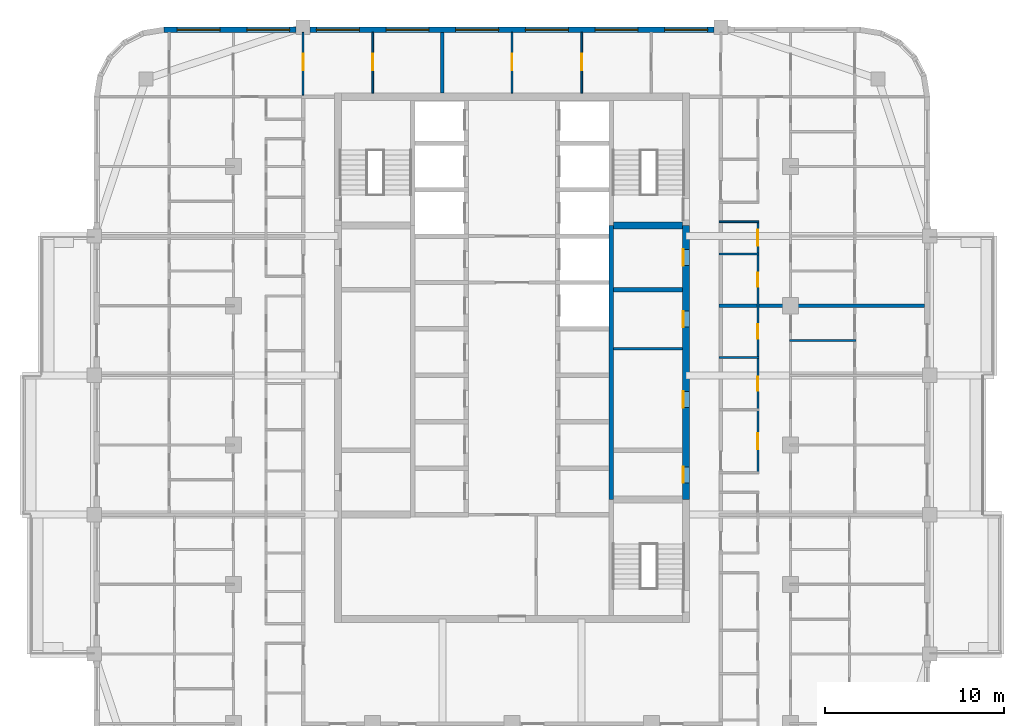
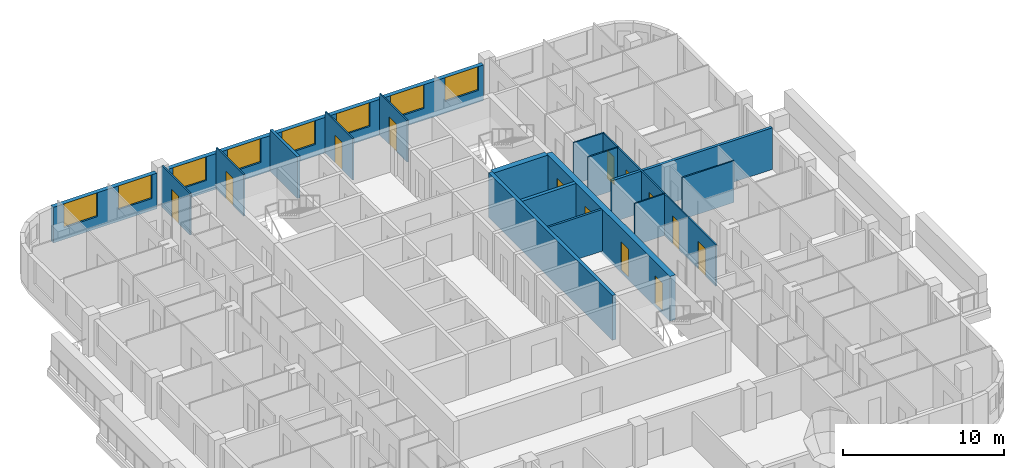
# One storey, part 10 of 17: 18 walls, 13 doors, 8 windows, 21 openings.
"""IFC4 building model written with IfcOpenShell, lengths in metres."""

from ifc_helpers import new_model, si_unit, direction, frame, frame_2d, origin, place, context, subcontext, project, spatial, rectangle, extrude, material, layer, layer_set, type_object, element, fill, save


model = new_model("IFC4")

# Units and contexts
model_context = context("Model", 3, precision=1e-05, world=origin(), true_north=direction((0.0, 1.0)))
body_context = subcontext(model_context, "Body", "Model", "MODEL_VIEW")
ifc_project = project(units=[si_unit("LENGTHUNIT", "METRE"), si_unit("AREAUNIT", "SQUARE_METRE"), si_unit("VOLUMEUNIT", "CUBIC_METRE"), si_unit("PLANEANGLEUNIT", "RADIAN"), si_unit("MASSUNIT", "GRAM", prefix="KILO")], contexts=[model_context])

# Site, building, storey
site_placement = place(None, origin())
site = spatial("IfcSite", under=ifc_project, at=site_placement, CompositionType="ELEMENT")
building_placement = place(site_placement, origin())
building = spatial("IfcBuilding", under=site, at=building_placement, Name="Ludao Terraces", CompositionType="ELEMENT")
storey_placement = place(building_placement, frame((0.0, 0.0, 210.89990234375)))
storey = spatial("IfcBuildingStorey", under=building, at=storey_placement, Name="L57", CompositionType="ELEMENT", Elevation=210.89990234375)

# Wall, openings, doors
ifc_material_1 = material(Name="Concrete C50", Category="concrete")
ifc_layer_1 = layer(ifc_material_1, 0.39990234375)
ifc_layer_set_1 = layer_set([ifc_layer_1], Name="Core wall 400 C50")
wall_type_1 = type_object("IfcWallType", Name="Core wall 400 C50", PredefinedType="SOLIDWALL", material=ifc_layer_set_1)
wall_1_placement = place(storey_placement, frame((94.75, 61.949951171875, -0.25), z_axis=(0.0, 0.0, 1.0), x_axis=(0.0, 1.0, 0.0)))
wall_1 = element("IfcWall", 1, at=wall_1_placement, inside=storey, type_object=wall_type_1, Name="Core wall L57 outer-E", PredefinedType="SOLIDWALL", context=body_context, shape_type="SweptSolid", body=[
    extrude(rectangle(XDim=15.35009765625, YDim=0.39990234375, at=frame_2d((7.675048828125, 0.0))), origin(), (0.0, 0.0, 1.0), 3.400146484375),
])
opening_1_placement = place(wall_1_placement, frame((0.925048828125, 0.0, 0.25)))
opening_1 = element("IfcOpeningElement", 2, at=opening_1_placement, cuts=wall_1, Name="Opening R20-058", PredefinedType="OPENING", context=body_context, shape_type="SweptSolid", body=[
    extrude(rectangle(XDim=0.89990234375, YDim=2.10009765625, at=frame_2d((0.449951171875, 1.050048828125))), frame((0.0, 0.2099609375, 0.0), z_axis=(0.0, -1.0, 0.0), x_axis=(1.0, 0.0, 0.0)), (0.0, 0.0, 1.0), 0.419921875),
])
opening_2_placement = place(wall_1_placement, frame((5.14990234375, 0.0, 0.25)))
opening_2 = element("IfcOpeningElement", 3, at=opening_2_placement, cuts=wall_1, Name="Opening R20-071", PredefinedType="OPENING", context=body_context, shape_type="SweptSolid", body=[
    extrude(rectangle(XDim=0.89990234375, YDim=2.10009765625, at=frame_2d((0.449951171875, 1.050048828125))), frame((0.0, 0.2099609375, 0.0), z_axis=(0.0, -1.0, 0.0), x_axis=(1.0, 0.0, 0.0)), (0.0, 0.0, 1.0), 0.419921875),
])
opening_3_placement = place(wall_1_placement, frame((9.64990234375, 0.0, 0.25)))
opening_3 = element("IfcOpeningElement", 4, at=opening_3_placement, cuts=wall_1, Name="Opening R20-086", PredefinedType="OPENING", context=body_context, shape_type="SweptSolid", body=[
    extrude(rectangle(XDim=0.89990234375, YDim=2.10009765625, at=frame_2d((0.449951171875, 1.050048828125))), frame((0.0, 0.2099609375, 0.0), z_axis=(0.0, -1.0, 0.0), x_axis=(1.0, 0.0, 0.0)), (0.0, 0.0, 1.0), 0.419921875),
])
opening_4_placement = place(wall_1_placement, frame((13.10009765625, 0.0, 0.25)))
opening_4 = element("IfcOpeningElement", 5, at=opening_4_placement, cuts=wall_1, Name="Opening R20-097", PredefinedType="OPENING", context=body_context, shape_type="SweptSolid", body=[
    extrude(rectangle(XDim=0.89990234375, YDim=2.10009765625, at=frame_2d((0.449951171875, 1.050048828125))), frame((0.0, 0.2099609375, 0.0), z_axis=(0.0, -1.0, 0.0), x_axis=(1.0, 0.0, 0.0)), (0.0, 0.0, 1.0), 0.419921875),
])
ifc_material_2 = material(Name="Steel Q235", Category="steel")
door_type_1 = type_object("IfcDoorType", Name="INT Riser door 900", OperationType="SINGLE_SWING_LEFT", PredefinedType="DOOR", material=ifc_material_2)
door_1_placement = place(opening_1_placement, origin())
door_1 = element("IfcDoor", 6, at=door_1_placement, inside=storey, type_object=door_type_1, Name="DOOR 058", OperationType="SINGLE_SWING_LEFT", OverallHeight=2.10009765625, OverallWidth=0.89990234375, PredefinedType="DOOR", context=body_context, shape_type="SweptSolid", body=[
    extrude(rectangle(XDim=0.89990234375, YDim=2.10009765625, at=frame_2d((0.449951171875, 1.050048828125))), frame((0.0, 0.18505859375, 0.0), z_axis=(0.0, -1.0, 0.0), x_axis=(1.0, 0.0, 0.0)), (0.0, 0.0, 1.0), 0.050048828125),
])
fill(opening_1, door_1)
door_2_placement = place(opening_4_placement, origin())
door_2 = element("IfcDoor", 7, at=door_2_placement, inside=storey, type_object=door_type_1, Name="DOOR 097", OperationType="SINGLE_SWING_RIGHT", OverallHeight=2.10009765625, OverallWidth=0.89990234375, PredefinedType="DOOR", context=body_context, shape_type="SweptSolid", body=[
    extrude(rectangle(XDim=0.89990234375, YDim=2.10009765625, at=frame_2d((0.449951171875, 1.050048828125))), frame((0.0, 0.18505859375, 0.0), z_axis=(0.0, -1.0, 0.0), x_axis=(1.0, 0.0, 0.0)), (0.0, 0.0, 1.0), 0.050048828125),
])
fill(opening_4, door_2)
ifc_material_3 = material(Name="Timber door leaf", Category="wood")
door_type_2 = type_object("IfcDoorType", Name="INT Room door 900", OperationType="SINGLE_SWING_LEFT", PredefinedType="DOOR", material=ifc_material_3)
door_3_placement = place(opening_2_placement, origin())
door_3 = element("IfcDoor", 8, at=door_3_placement, inside=storey, type_object=door_type_2, Name="DOOR 071", OperationType="SINGLE_SWING_LEFT", OverallHeight=2.10009765625, OverallWidth=0.89990234375, PredefinedType="DOOR", context=body_context, shape_type="SweptSolid", body=[
    extrude(rectangle(XDim=0.89990234375, YDim=2.10009765625, at=frame_2d((0.449951171875, 1.050048828125))), frame((0.0, 0.18505859375, 0.0), z_axis=(0.0, -1.0, 0.0), x_axis=(1.0, 0.0, 0.0)), (0.0, 0.0, 1.0), 0.050048828125),
])
fill(opening_2, door_3)
door_4_placement = place(opening_3_placement, origin())
door_4 = element("IfcDoor", 9, at=door_4_placement, inside=storey, type_object=door_type_2, Name="DOOR 086", OperationType="SINGLE_SWING_LEFT", OverallHeight=2.10009765625, OverallWidth=0.89990234375, PredefinedType="DOOR", context=body_context, shape_type="SweptSolid", body=[
    extrude(rectangle(XDim=0.89990234375, YDim=2.10009765625, at=frame_2d((0.449951171875, 1.050048828125))), frame((0.0, 0.18505859375, 0.0), z_axis=(0.0, -1.0, 0.0), x_axis=(1.0, 0.0, 0.0)), (0.0, 0.0, 1.0), 0.050048828125),
])
fill(opening_3, door_4)

# Wall, openings, windows
ifc_material_4 = material(Name="Granite cladding", Category="masonry")
ifc_layer_2 = layer(ifc_material_4, 0.0400390625, Category="stone")
ifc_material_5 = material(Name="Mineral wool")
ifc_layer_3 = layer(ifc_material_5, 0.06005859375)
ifc_material_6 = material(Name="Concrete C40", Category="concrete")
ifc_layer_4 = layer(ifc_material_6, 0.199951171875, Category="concrete")
ifc_layer_set_2 = layer_set([ifc_layer_2, ifc_layer_3, ifc_layer_4], Name="ENV Stone-clad wall 300")
wall_type_2 = type_object("IfcWallType", Name="ENV Stone-clad wall 300", PredefinedType="SOLIDWALL", material=ifc_layer_set_2)
wall_2_placement = place(storey_placement, frame((65.5, 88.25, 0.0), z_axis=(0.0, 0.0, 1.0), x_axis=(1.0, 0.0, 0.0)))
wall_2 = element("IfcWall", 10, at=wall_2_placement, inside=storey, type_object=wall_type_2, Name="EW-L57-N1", PredefinedType="SOLIDWALL", context=body_context, shape_type="SweptSolid", body=[
    extrude(rectangle(XDim=7.39990234375, YDim=0.300048828125, at=frame_2d((3.699951171875, 0.0))), origin(), (0.0, 0.0, 1.0), 2.7001953125),
])
opening_5_placement = place(wall_2_placement, frame((0.75, 0.0, 0.89990234375)))
opening_5 = element("IfcOpeningElement", 11, at=opening_5_placement, cuts=wall_2, Name="Opening W1", PredefinedType="OPENING", context=body_context, shape_type="SweptSolid", body=[
    extrude(rectangle(XDim=2.39990234375, YDim=1.800048828125, at=frame_2d((1.199951171875, 0.89990234375))), frame((0.0, 0.16015625, 0.0), z_axis=(0.0, -1.0, 0.0), x_axis=(1.0, 0.0, 0.0)), (0.0, 0.0, 1.0), 0.320068359375),
])
opening_6_placement = place(wall_2_placement, frame((4.64990234375, 0.0, 0.89990234375)))
opening_6 = element("IfcOpeningElement", 12, at=opening_6_placement, cuts=wall_2, Name="Opening W1", PredefinedType="OPENING", context=body_context, shape_type="SweptSolid", body=[
    extrude(rectangle(XDim=2.39990234375, YDim=1.800048828125, at=frame_2d((1.199951171875, 0.89990234375))), frame((0.0, 0.16015625, 0.0), z_axis=(0.0, -1.0, 0.0), x_axis=(1.0, 0.0, 0.0)), (0.0, 0.0, 1.0), 0.320068359375),
])
ifc_material_7 = material(Name="Clear glass in aluminium frame", Category="aluminium")
ifc_layer_5 = layer(ifc_material_7, 0.06005859375)
ifc_layer_set_3 = layer_set([ifc_layer_5], Name="ENV Window W1 2400x1800")
window_type = type_object("IfcWindowType", Name="ENV Window W1 2400x1800", PartitioningType="DOUBLE_PANEL_VERTICAL", PredefinedType="WINDOW", material=ifc_layer_set_3)
window_1_placement = place(opening_5_placement, origin())
window_1 = element("IfcWindow", 13, at=window_1_placement, inside=storey, type_object=window_type, Name="W-L57-N1-1", OverallHeight=1.800048828125, OverallWidth=2.39990234375, PartitioningType="DOUBLE_PANEL_VERTICAL", PredefinedType="WINDOW", context=body_context, shape_type="SweptSolid", body=[
    extrude(rectangle(XDim=2.39990234375, YDim=1.800048828125, at=frame_2d((1.199951171875, 0.89990234375))), frame((0.0, 0.030029296875, 0.0), z_axis=(0.0, -1.0, 0.0), x_axis=(1.0, 0.0, 0.0)), (0.0, 0.0, 1.0), 0.06005859375),
])
fill(opening_5, window_1)
window_2_placement = place(opening_6_placement, origin())
window_2 = element("IfcWindow", 14, at=window_2_placement, inside=storey, type_object=window_type, Name="W-L57-N1-2", OverallHeight=1.800048828125, OverallWidth=2.39990234375, PartitioningType="DOUBLE_PANEL_VERTICAL", PredefinedType="WINDOW", context=body_context, shape_type="SweptSolid", body=[
    extrude(rectangle(XDim=2.39990234375, YDim=1.800048828125, at=frame_2d((1.199951171875, 0.89990234375))), frame((0.0, 0.030029296875, 0.0), z_axis=(0.0, -1.0, 0.0), x_axis=(1.0, 0.0, 0.0)), (0.0, 0.0, 1.0), 0.06005859375),
])
fill(opening_6, window_2)

wall_3_placement = place(storey_placement, frame((73.699951171875, 88.25, 0.0), z_axis=(0.0, 0.0, 1.0), x_axis=(1.0, 0.0, 0.0)))
wall_3 = element("IfcWall", 15, at=wall_3_placement, inside=storey, type_object=wall_type_2, Name="EW-L57-N2", PredefinedType="SOLIDWALL", context=body_context, shape_type="SweptSolid", body=[
    extrude(rectangle(XDim=22.60009765625, YDim=0.300048828125, at=frame_2d((11.300048828125, 0.0))), origin(), (0.0, 0.0, 1.0), 2.7001953125),
])
opening_7_placement = place(wall_3_placement, frame((0.35009765625, 0.0, 0.89990234375)))
opening_7 = element("IfcOpeningElement", 16, at=opening_7_placement, cuts=wall_3, Name="Opening W1", PredefinedType="OPENING", context=body_context, shape_type="SweptSolid", body=[
    extrude(rectangle(XDim=2.39990234375, YDim=1.800048828125, at=frame_2d((1.199951171875, 0.89990234375))), frame((0.0, 0.16015625, 0.0), z_axis=(0.0, -1.0, 0.0), x_axis=(1.0, 0.0, 0.0)), (0.0, 0.0, 1.0), 0.320068359375),
])
opening_8_placement = place(wall_3_placement, frame((4.25, 0.0, 0.89990234375)))
opening_8 = element("IfcOpeningElement", 17, at=opening_8_placement, cuts=wall_3, Name="Opening W1", PredefinedType="OPENING", context=body_context, shape_type="SweptSolid", body=[
    extrude(rectangle(XDim=2.39990234375, YDim=1.800048828125, at=frame_2d((1.199951171875, 0.89990234375))), frame((0.0, 0.16015625, 0.0), z_axis=(0.0, -1.0, 0.0), x_axis=(1.0, 0.0, 0.0)), (0.0, 0.0, 1.0), 0.320068359375),
])
opening_9_placement = place(wall_3_placement, frame((8.14990234375, 0.0, 0.89990234375)))
opening_9 = element("IfcOpeningElement", 18, at=opening_9_placement, cuts=wall_3, Name="Opening W1", PredefinedType="OPENING", context=body_context, shape_type="SweptSolid", body=[
    extrude(rectangle(XDim=2.39990234375, YDim=1.800048828125, at=frame_2d((1.199951171875, 0.89990234375))), frame((0.0, 0.16015625, 0.0), z_axis=(0.0, -1.0, 0.0), x_axis=(1.0, 0.0, 0.0)), (0.0, 0.0, 1.0), 0.320068359375),
])
opening_10_placement = place(wall_3_placement, frame((12.050048828125, 0.0, 0.89990234375)))
opening_10 = element("IfcOpeningElement", 19, at=opening_10_placement, cuts=wall_3, Name="Opening W1", PredefinedType="OPENING", context=body_context, shape_type="SweptSolid", body=[
    extrude(rectangle(XDim=2.39990234375, YDim=1.800048828125, at=frame_2d((1.199951171875, 0.89990234375))), frame((0.0, 0.16015625, 0.0), z_axis=(0.0, -1.0, 0.0), x_axis=(1.0, 0.0, 0.0)), (0.0, 0.0, 1.0), 0.320068359375),
])
opening_11_placement = place(wall_3_placement, frame((15.949951171875, 0.0, 0.89990234375)))
opening_11 = element("IfcOpeningElement", 20, at=opening_11_placement, cuts=wall_3, Name="Opening W1", PredefinedType="OPENING", context=body_context, shape_type="SweptSolid", body=[
    extrude(rectangle(XDim=2.39990234375, YDim=1.800048828125, at=frame_2d((1.199951171875, 0.89990234375))), frame((0.0, 0.16015625, 0.0), z_axis=(0.0, -1.0, 0.0), x_axis=(1.0, 0.0, 0.0)), (0.0, 0.0, 1.0), 0.320068359375),
])
opening_12_placement = place(wall_3_placement, frame((19.85009765625, 0.0, 0.89990234375)))
opening_12 = element("IfcOpeningElement", 21, at=opening_12_placement, cuts=wall_3, Name="Opening W1", PredefinedType="OPENING", context=body_context, shape_type="SweptSolid", body=[
    extrude(rectangle(XDim=2.39990234375, YDim=1.800048828125, at=frame_2d((1.199951171875, 0.89990234375))), frame((0.0, 0.16015625, 0.0), z_axis=(0.0, -1.0, 0.0), x_axis=(1.0, 0.0, 0.0)), (0.0, 0.0, 1.0), 0.320068359375),
])
window_3_placement = place(opening_7_placement, origin())
window_3 = element("IfcWindow", 22, at=window_3_placement, inside=storey, type_object=window_type, Name="W-L57-N2-1", OverallHeight=1.800048828125, OverallWidth=2.39990234375, PartitioningType="DOUBLE_PANEL_VERTICAL", PredefinedType="WINDOW", context=body_context, shape_type="SweptSolid", body=[
    extrude(rectangle(XDim=2.39990234375, YDim=1.800048828125, at=frame_2d((1.199951171875, 0.89990234375))), frame((0.0, 0.030029296875, 0.0), z_axis=(0.0, -1.0, 0.0), x_axis=(1.0, 0.0, 0.0)), (0.0, 0.0, 1.0), 0.06005859375),
])
fill(opening_7, window_3)
window_4_placement = place(opening_8_placement, origin())
window_4 = element("IfcWindow", 23, at=window_4_placement, inside=storey, type_object=window_type, Name="W-L57-N2-2", OverallHeight=1.800048828125, OverallWidth=2.39990234375, PartitioningType="DOUBLE_PANEL_VERTICAL", PredefinedType="WINDOW", context=body_context, shape_type="SweptSolid", body=[
    extrude(rectangle(XDim=2.39990234375, YDim=1.800048828125, at=frame_2d((1.199951171875, 0.89990234375))), frame((0.0, 0.030029296875, 0.0), z_axis=(0.0, -1.0, 0.0), x_axis=(1.0, 0.0, 0.0)), (0.0, 0.0, 1.0), 0.06005859375),
])
fill(opening_8, window_4)
window_5_placement = place(opening_9_placement, origin())
window_5 = element("IfcWindow", 24, at=window_5_placement, inside=storey, type_object=window_type, Name="W-L57-N2-3", OverallHeight=1.800048828125, OverallWidth=2.39990234375, PartitioningType="DOUBLE_PANEL_VERTICAL", PredefinedType="WINDOW", context=body_context, shape_type="SweptSolid", body=[
    extrude(rectangle(XDim=2.39990234375, YDim=1.800048828125, at=frame_2d((1.199951171875, 0.89990234375))), frame((0.0, 0.030029296875, 0.0), z_axis=(0.0, -1.0, 0.0), x_axis=(1.0, 0.0, 0.0)), (0.0, 0.0, 1.0), 0.06005859375),
])
fill(opening_9, window_5)
window_6_placement = place(opening_10_placement, origin())
window_6 = element("IfcWindow", 25, at=window_6_placement, inside=storey, type_object=window_type, Name="W-L57-N2-4", OverallHeight=1.800048828125, OverallWidth=2.39990234375, PartitioningType="DOUBLE_PANEL_VERTICAL", PredefinedType="WINDOW", context=body_context, shape_type="SweptSolid", body=[
    extrude(rectangle(XDim=2.39990234375, YDim=1.800048828125, at=frame_2d((1.199951171875, 0.89990234375))), frame((0.0, 0.030029296875, 0.0), z_axis=(0.0, -1.0, 0.0), x_axis=(1.0, 0.0, 0.0)), (0.0, 0.0, 1.0), 0.06005859375),
])
fill(opening_10, window_6)
window_7_placement = place(opening_11_placement, origin())
window_7 = element("IfcWindow", 26, at=window_7_placement, inside=storey, type_object=window_type, Name="W-L57-N2-5", OverallHeight=1.800048828125, OverallWidth=2.39990234375, PartitioningType="DOUBLE_PANEL_VERTICAL", PredefinedType="WINDOW", context=body_context, shape_type="SweptSolid", body=[
    extrude(rectangle(XDim=2.39990234375, YDim=1.800048828125, at=frame_2d((1.199951171875, 0.89990234375))), frame((0.0, 0.030029296875, 0.0), z_axis=(0.0, -1.0, 0.0), x_axis=(1.0, 0.0, 0.0)), (0.0, 0.0, 1.0), 0.06005859375),
])
fill(opening_11, window_7)
window_8_placement = place(opening_12_placement, origin())
window_8 = element("IfcWindow", 27, at=window_8_placement, inside=storey, type_object=window_type, Name="W-L57-N2-6", OverallHeight=1.800048828125, OverallWidth=2.39990234375, PartitioningType="DOUBLE_PANEL_VERTICAL", PredefinedType="WINDOW", context=body_context, shape_type="SweptSolid", body=[
    extrude(rectangle(XDim=2.39990234375, YDim=1.800048828125, at=frame_2d((1.199951171875, 0.89990234375))), frame((0.0, 0.030029296875, 0.0), z_axis=(0.0, -1.0, 0.0), x_axis=(1.0, 0.0, 0.0)), (0.0, 0.0, 1.0), 0.06005859375),
])
fill(opening_12, window_8)

# Walls
ifc_material_8 = material(Name="Fire-rated gypsum plasterboard", Category="gypsum")
ifc_layer_6 = layer(ifc_material_8, 0.012451171875, Category="gypsum")
ifc_layer_7 = layer(ifc_material_5, 0.10009765625, Name="insulation")
ifc_layer_8 = layer(ifc_material_2, 0.02490234375, Name="stud")
ifc_layer_9 = layer(ifc_material_8, 0.012451171875, Category="gypsum")
ifc_layer_set_4 = layer_set([ifc_layer_6, ifc_layer_7, ifc_layer_8, ifc_layer_9], Name="INT Core partition 150")
wall_type_3 = type_object("IfcWallType", Name="INT Core partition 150", PredefinedType="PARTITIONING", material=ifc_layer_set_4)
wall_4_placement = place(storey_placement, frame((90.675048828125, 70.39990234375, 0.0), z_axis=(0.0, 0.0, 1.0), x_axis=(1.0, 0.0, 0.0)))
element("IfcWall", 28, at=wall_4_placement, inside=storey, type_object=wall_type_3, Name="PW-L57-PW042", PredefinedType="PARTITIONING", context=body_context, shape_type="SweptSolid", body=[
    extrude(rectangle(XDim=3.875, YDim=0.14990234375, at=frame_2d((1.9375, 0.0))), origin(), (0.0, 0.0, 1.0), 3.150146484375),
])
ifc_material_9 = material(Name="Gypsum plasterboard", Category="gypsum")
ifc_layer_10 = layer(ifc_material_9, 0.012451171875, Category="gypsum")
ifc_layer_11 = layer(ifc_material_5, 0.06005859375, Name="insulation")
ifc_layer_12 = layer(ifc_material_2, 0.014892578125, Name="stud")
ifc_layer_13 = layer(ifc_material_9, 0.012451171875, Category="gypsum")
ifc_layer_set_5 = layer_set([ifc_layer_10, ifc_layer_11, ifc_layer_12, ifc_layer_13], Name="INT Partition 100")
wall_type_4 = type_object("IfcWallType", Name="INT Partition 100", PredefinedType="PARTITIONING", material=ifc_layer_set_5)
wall_5_placement = place(storey_placement, frame((96.60009765625, 69.89990234375, 0.0), z_axis=(0.0, 0.0, 1.0), x_axis=(1.0, 0.0, 0.0)))
element("IfcWall", 29, at=wall_5_placement, inside=storey, type_object=wall_type_4, Name="PW-L57-PW040", PredefinedType="PARTITIONING", context=body_context, shape_type="SweptSolid", body=[
    extrude(rectangle(XDim=2.219970703125, YDim=0.10009765625, at=frame_2d((1.10986328125, 0.0))), origin(), (0.0, 0.0, 1.0), 3.150146484375),
])
wall_6_placement = place(storey_placement, frame((100.550048828125, 70.85009765625, 0.0), z_axis=(0.0, 0.0, 1.0), x_axis=(1.0, 0.0, 0.0)))
element("IfcWall", 30, at=wall_6_placement, inside=storey, type_object=wall_type_4, Name="PW-L57-PW043", PredefinedType="PARTITIONING", context=body_context, shape_type="SweptSolid", body=[
    extrude(rectangle(XDim=3.699951171875, YDim=0.10009765625, at=frame_2d((1.85009765625, 0.0))), origin(), (0.0, 0.0, 1.0), 3.150146484375),
])
for number, where, z_axis, x_axis, name in (
    (31, (96.60009765625, 75.699951171875, 0.0), (0.0, 0.0, 1.0), (1.0, 0.0, 0.0), "PW-L57-PW051"),
    (32, (96.60009765625, 77.5, 0.0), (0.0, 0.0, 1.0), (1.0, 0.0, 0.0), "PW-L57-PW055"),
):
    element("IfcWall", number, at=place(storey_placement, frame(where, z_axis=z_axis, x_axis=x_axis)), inside=storey, type_object=wall_type_4, Name=name, PredefinedType="PARTITIONING", context=body_context, shape_type="SweptSolid", body=[
        extrude(rectangle(XDim=2.219970703125, YDim=0.10009765625, at=frame_2d((1.10986328125, 0.0))), origin(), (0.0, 0.0, 1.0), 3.150146484375),
    ])

# Wall, opening, door
wall_7_placement = place(storey_placement, frame((73.300048828125, 84.60009765625, 0.0), z_axis=(0.0, 0.0, 1.0), x_axis=(0.0, 1.0, 0.0)))
wall_7 = element("IfcWall", 33, at=wall_7_placement, inside=storey, type_object=wall_type_4, Name="PW-L57-PW079", PredefinedType="PARTITIONING", context=body_context, shape_type="SweptSolid", body=[
    extrude(rectangle(XDim=3.5, YDim=0.10009765625, at=frame_2d((1.75, 0.0))), origin(), (0.0, 0.0, 1.0), 3.150146484375),
])
opening_13_placement = place(wall_7_placement, frame((1.39990234375, 0.0, 0.0)))
opening_13 = element("IfcOpeningElement", 34, at=opening_13_placement, cuts=wall_7, Name="Opening R20-135", PredefinedType="OPENING", context=body_context, shape_type="SweptSolid", body=[
    extrude(rectangle(XDim=0.89990234375, YDim=2.10009765625, at=frame_2d((0.449951171875, 1.050048828125))), frame((0.0, 0.06005859375, 0.0), z_axis=(0.0, -1.0, 0.0), x_axis=(1.0, 0.0, 0.0)), (0.0, 0.0, 1.0), 0.1201171875),
])
door_5_placement = place(opening_13_placement, origin())
door_5 = element("IfcDoor", 35, at=door_5_placement, inside=storey, type_object=door_type_2, Name="DOOR 135", OperationType="SINGLE_SWING_LEFT", OverallHeight=2.10009765625, OverallWidth=0.89990234375, PredefinedType="DOOR", context=body_context, shape_type="SweptSolid", body=[
    extrude(rectangle(XDim=0.89990234375, YDim=2.10009765625, at=frame_2d((0.449951171875, 1.050048828125))), frame((0.0, 0.02490234375, 0.0), z_axis=(0.0, -1.0, 0.0), x_axis=(1.0, 0.0, 0.0)), (0.0, 0.0, 1.0), 0.050048828125),
])
fill(opening_13, door_5)

wall_8_placement = place(storey_placement, frame((77.199951171875, 84.7001953125, 0.0), z_axis=(0.0, 0.0, 1.0), x_axis=(0.0, 1.0, 0.0)))
wall_8 = element("IfcWall", 36, at=wall_8_placement, inside=storey, type_object=wall_type_4, Name="PW-L57-PW081", PredefinedType="PARTITIONING", context=body_context, shape_type="SweptSolid", body=[
    extrude(rectangle(XDim=3.39990234375, YDim=0.10009765625, at=frame_2d((1.699951171875, 0.0))), origin(), (0.0, 0.0, 1.0), 3.150146484375),
])
opening_14_placement = place(wall_8_placement, frame((1.2998046875, 0.0, 0.0)))
opening_14 = element("IfcOpeningElement", 37, at=opening_14_placement, cuts=wall_8, Name="Opening R20-136", PredefinedType="OPENING", context=body_context, shape_type="SweptSolid", body=[
    extrude(rectangle(XDim=0.89990234375, YDim=2.10009765625, at=frame_2d((0.449951171875, 1.050048828125))), frame((0.0, 0.06005859375, 0.0), z_axis=(0.0, -1.0, 0.0), x_axis=(1.0, 0.0, 0.0)), (0.0, 0.0, 1.0), 0.1201171875),
])
door_6_placement = place(opening_14_placement, origin())
door_6 = element("IfcDoor", 38, at=door_6_placement, inside=storey, type_object=door_type_2, Name="DOOR 136", OperationType="SINGLE_SWING_LEFT", OverallHeight=2.10009765625, OverallWidth=0.89990234375, PredefinedType="DOOR", context=body_context, shape_type="SweptSolid", body=[
    extrude(rectangle(XDim=0.89990234375, YDim=2.10009765625, at=frame_2d((0.449951171875, 1.050048828125))), frame((0.0, 0.02490234375, 0.0), z_axis=(0.0, -1.0, 0.0), x_axis=(1.0, 0.0, 0.0)), (0.0, 0.0, 1.0), 0.050048828125),
])
fill(opening_14, door_6)

wall_9_placement = place(storey_placement, frame((85.0, 84.7001953125, 0.0), z_axis=(0.0, 0.0, 1.0), x_axis=(0.0, 1.0, 0.0)))
wall_9 = element("IfcWall", 39, at=wall_9_placement, inside=storey, type_object=wall_type_4, Name="PW-L57-PW084", PredefinedType="PARTITIONING", context=body_context, shape_type="SweptSolid", body=[
    extrude(rectangle(XDim=3.39990234375, YDim=0.10009765625, at=frame_2d((1.699951171875, 0.0))), origin(), (0.0, 0.0, 1.0), 3.150146484375),
])
opening_15_placement = place(wall_9_placement, frame((1.2998046875, 0.0, 0.0)))
opening_15 = element("IfcOpeningElement", 40, at=opening_15_placement, cuts=wall_9, Name="Opening R20-137", PredefinedType="OPENING", context=body_context, shape_type="SweptSolid", body=[
    extrude(rectangle(XDim=0.89990234375, YDim=2.10009765625, at=frame_2d((0.449951171875, 1.050048828125))), frame((0.0, 0.06005859375, 0.0), z_axis=(0.0, -1.0, 0.0), x_axis=(1.0, 0.0, 0.0)), (0.0, 0.0, 1.0), 0.1201171875),
])
door_7_placement = place(opening_15_placement, origin())
door_7 = element("IfcDoor", 41, at=door_7_placement, inside=storey, type_object=door_type_2, Name="DOOR 137", OperationType="SINGLE_SWING_RIGHT", OverallHeight=2.10009765625, OverallWidth=0.89990234375, PredefinedType="DOOR", context=body_context, shape_type="SweptSolid", body=[
    extrude(rectangle(XDim=0.89990234375, YDim=2.10009765625, at=frame_2d((0.449951171875, 1.050048828125))), frame((0.0, 0.02490234375, 0.0), z_axis=(0.0, -1.0, 0.0), x_axis=(1.0, 0.0, 0.0)), (0.0, 0.0, 1.0), 0.050048828125),
])
fill(opening_15, door_7)

wall_10_placement = place(storey_placement, frame((88.89990234375, 84.7001953125, 0.0), z_axis=(0.0, 0.0, 1.0), x_axis=(0.0, 1.0, 0.0)))
wall_10 = element("IfcWall", 42, at=wall_10_placement, inside=storey, type_object=wall_type_4, Name="PW-L57-PW087", PredefinedType="PARTITIONING", context=body_context, shape_type="SweptSolid", body=[
    extrude(rectangle(XDim=3.39990234375, YDim=0.10009765625, at=frame_2d((1.699951171875, 0.0))), origin(), (0.0, 0.0, 1.0), 3.150146484375),
])
opening_16_placement = place(wall_10_placement, frame((1.2998046875, 0.0, 0.0)))
opening_16 = element("IfcOpeningElement", 43, at=opening_16_placement, cuts=wall_10, Name="Opening R20-138", PredefinedType="OPENING", context=body_context, shape_type="SweptSolid", body=[
    extrude(rectangle(XDim=0.89990234375, YDim=2.10009765625, at=frame_2d((0.449951171875, 1.050048828125))), frame((0.0, 0.06005859375, 0.0), z_axis=(0.0, -1.0, 0.0), x_axis=(1.0, 0.0, 0.0)), (0.0, 0.0, 1.0), 0.1201171875),
])
door_8_placement = place(opening_16_placement, origin())
door_8 = element("IfcDoor", 44, at=door_8_placement, inside=storey, type_object=door_type_2, Name="DOOR 138", OperationType="SINGLE_SWING_LEFT", OverallHeight=2.10009765625, OverallWidth=0.89990234375, PredefinedType="DOOR", context=body_context, shape_type="SweptSolid", body=[
    extrude(rectangle(XDim=0.89990234375, YDim=2.10009765625, at=frame_2d((0.449951171875, 1.050048828125))), frame((0.0, 0.02490234375, 0.0), z_axis=(0.0, -1.0, 0.0), x_axis=(1.0, 0.0, 0.0)), (0.0, 0.0, 1.0), 0.050048828125),
])
fill(opening_16, door_8)

# Wall, openings, doors
wall_11_placement = place(storey_placement, frame((98.77001953125, 63.5, 0.0), z_axis=(0.0, 0.0, 1.0), x_axis=(0.0, 1.0, 0.0)))
wall_11 = element("IfcWall", 45, at=wall_11_placement, inside=storey, type_object=wall_type_4, Name="PW-L57-PW094", PredefinedType="PARTITIONING", context=body_context, shape_type="SweptSolid", body=[
    extrude(rectangle(XDim=13.9501953125, YDim=0.10009765625, at=frame_2d((6.97509765625, 0.0))), origin(), (0.0, 0.0, 1.0), 3.150146484375),
])
opening_17_placement = place(wall_11_placement, frame((1.260009765625, 0.0, 0.0)))
opening_17 = element("IfcOpeningElement", 46, at=opening_17_placement, cuts=wall_11, Name="Opening R20-065", PredefinedType="OPENING", context=body_context, shape_type="SweptSolid", body=[
    extrude(rectangle(XDim=0.89990234375, YDim=2.10009765625, at=frame_2d((0.449951171875, 1.050048828125))), frame((0.0, 0.06005859375, 0.0), z_axis=(0.0, -1.0, 0.0), x_axis=(1.0, 0.0, 0.0)), (0.0, 0.0, 1.0), 0.1201171875),
])
opening_18_placement = place(wall_11_placement, frame((4.53515625, 0.0, 0.0)))
opening_18 = element("IfcOpeningElement", 47, at=opening_18_placement, cuts=wall_11, Name="Opening R20-074", PredefinedType="OPENING", context=body_context, shape_type="SweptSolid", body=[
    extrude(rectangle(XDim=0.800048828125, YDim=2.10009765625, at=frame_2d((0.39990234375, 1.050048828125))), frame((0.0, 0.06005859375, 0.0), z_axis=(0.0, -1.0, 0.0), x_axis=(1.0, 0.0, 0.0)), (0.0, 0.0, 1.0), 0.1201171875),
])
opening_19_placement = place(wall_11_placement, frame((7.4501953125, 0.0, 0.0)))
opening_19 = element("IfcOpeningElement", 48, at=opening_19_placement, cuts=wall_11, Name="Opening R20-082", PredefinedType="OPENING", context=body_context, shape_type="SweptSolid", body=[
    extrude(rectangle(XDim=0.800048828125, YDim=2.10009765625, at=frame_2d((0.39990234375, 1.050048828125))), frame((0.0, 0.06005859375, 0.0), z_axis=(0.0, -1.0, 0.0), x_axis=(1.0, 0.0, 0.0)), (0.0, 0.0, 1.0), 0.1201171875),
])
opening_20_placement = place(wall_11_placement, frame((10.35009765625, 0.0, 0.0)))
opening_20 = element("IfcOpeningElement", 49, at=opening_20_placement, cuts=wall_11, Name="Opening R20-092", PredefinedType="OPENING", context=body_context, shape_type="SweptSolid", body=[
    extrude(rectangle(XDim=0.800048828125, YDim=2.10009765625, at=frame_2d((0.39990234375, 1.050048828125))), frame((0.0, 0.06005859375, 0.0), z_axis=(0.0, -1.0, 0.0), x_axis=(1.0, 0.0, 0.0)), (0.0, 0.0, 1.0), 0.1201171875),
])
opening_21_placement = place(wall_11_placement, frame((12.650146484375, 0.0, 0.0)))
opening_21 = element("IfcOpeningElement", 50, at=opening_21_placement, cuts=wall_11, Name="Opening R20-103", PredefinedType="OPENING", context=body_context, shape_type="SweptSolid", body=[
    extrude(rectangle(XDim=0.89990234375, YDim=2.10009765625, at=frame_2d((0.449951171875, 1.050048828125))), frame((0.0, 0.06005859375, 0.0), z_axis=(0.0, -1.0, 0.0), x_axis=(1.0, 0.0, 0.0)), (0.0, 0.0, 1.0), 0.1201171875),
])
door_type_3 = type_object("IfcDoorType", Name="INT Bathroom door 900", OperationType="SINGLE_SWING_LEFT", PredefinedType="DOOR", material=ifc_material_3)
door_9_placement = place(opening_21_placement, origin())
door_9 = element("IfcDoor", 51, at=door_9_placement, inside=storey, type_object=door_type_3, Name="DOOR 103", OperationType="SINGLE_SWING_LEFT", OverallHeight=2.10009765625, OverallWidth=0.89990234375, PredefinedType="DOOR", context=body_context, shape_type="SweptSolid", body=[
    extrude(rectangle(XDim=0.89990234375, YDim=2.10009765625, at=frame_2d((0.449951171875, 1.050048828125))), frame((0.0, 0.02490234375, 0.0), z_axis=(0.0, -1.0, 0.0), x_axis=(1.0, 0.0, 0.0)), (0.0, 0.0, 1.0), 0.050048828125),
])
fill(opening_21, door_9)
door_10_placement = place(opening_17_placement, origin())
door_10 = element("IfcDoor", 52, at=door_10_placement, inside=storey, type_object=door_type_2, Name="DOOR 065", OperationType="SINGLE_SWING_LEFT", OverallHeight=2.10009765625, OverallWidth=0.89990234375, PredefinedType="DOOR", context=body_context, shape_type="SweptSolid", body=[
    extrude(rectangle(XDim=0.89990234375, YDim=2.10009765625, at=frame_2d((0.449951171875, 1.050048828125))), frame((0.0, 0.02490234375, 0.0), z_axis=(0.0, -1.0, 0.0), x_axis=(1.0, 0.0, 0.0)), (0.0, 0.0, 1.0), 0.050048828125),
])
fill(opening_17, door_10)
door_type_4 = type_object("IfcDoorType", Name="INT Store door 800", OperationType="SINGLE_SWING_LEFT", PredefinedType="DOOR", material=ifc_material_3)
door_11_placement = place(opening_18_placement, origin())
door_11 = element("IfcDoor", 53, at=door_11_placement, inside=storey, type_object=door_type_4, Name="DOOR 074", OperationType="SINGLE_SWING_RIGHT", OverallHeight=2.10009765625, OverallWidth=0.800048828125, PredefinedType="DOOR", context=body_context, shape_type="SweptSolid", body=[
    extrude(rectangle(XDim=0.800048828125, YDim=2.10009765625, at=frame_2d((0.39990234375, 1.050048828125))), frame((0.0, 0.02490234375, 0.0), z_axis=(0.0, -1.0, 0.0), x_axis=(1.0, 0.0, 0.0)), (0.0, 0.0, 1.0), 0.050048828125),
])
fill(opening_18, door_11)
door_12_placement = place(opening_19_placement, origin())
door_12 = element("IfcDoor", 54, at=door_12_placement, inside=storey, type_object=door_type_4, Name="DOOR 082", OperationType="SINGLE_SWING_LEFT", OverallHeight=2.10009765625, OverallWidth=0.800048828125, PredefinedType="DOOR", context=body_context, shape_type="SweptSolid", body=[
    extrude(rectangle(XDim=0.800048828125, YDim=2.10009765625, at=frame_2d((0.39990234375, 1.050048828125))), frame((0.0, 0.02490234375, 0.0), z_axis=(0.0, -1.0, 0.0), x_axis=(1.0, 0.0, 0.0)), (0.0, 0.0, 1.0), 0.050048828125),
])
fill(opening_19, door_12)
door_13_placement = place(opening_20_placement, origin())
door_13 = element("IfcDoor", 55, at=door_13_placement, inside=storey, type_object=door_type_4, Name="DOOR 092", OperationType="SINGLE_SWING_LEFT", OverallHeight=2.10009765625, OverallWidth=0.800048828125, PredefinedType="DOOR", context=body_context, shape_type="SweptSolid", body=[
    extrude(rectangle(XDim=0.800048828125, YDim=2.10009765625, at=frame_2d((0.39990234375, 1.050048828125))), frame((0.0, 0.02490234375, 0.0), z_axis=(0.0, -1.0, 0.0), x_axis=(1.0, 0.0, 0.0)), (0.0, 0.0, 1.0), 0.050048828125),
])
fill(opening_20, door_13)

# Walls
ifc_material_10 = material(Name="Autoclaved aerated concrete block B06 A3.5", Category="concrete")
ifc_layer_14 = layer(ifc_material_10, 0.199951171875)
ifc_layer_set_6 = layer_set([ifc_layer_14], Name="INT Party wall 200")
wall_type_5 = type_object("IfcWallType", Name="INT Party wall 200", PredefinedType="PARTITIONING", material=ifc_layer_set_6)
wall_12_placement = place(storey_placement, frame((96.60009765625, 72.800048828125, 0.0), z_axis=(0.0, 0.0, 1.0), x_axis=(1.0, 0.0, 0.0)))
element("IfcWall", 56, at=wall_12_placement, inside=storey, type_object=wall_type_5, Name="PW-L57-PW045", PredefinedType="PARTITIONING", context=body_context, shape_type="SweptSolid", body=[
    extrude(rectangle(XDim=11.5, YDim=0.199951171875, at=frame_2d((5.75, 0.0))), origin(), (0.0, 0.0, 1.0), 3.150146484375),
])
wall_13_placement = place(storey_placement, frame((81.10009765625, 84.7001953125, 0.0), z_axis=(0.0, 0.0, 1.0), x_axis=(0.0, 1.0, 0.0)))
element("IfcWall", 57, at=wall_13_placement, inside=storey, type_object=wall_type_5, Name="PW-L57-PW083", PredefinedType="PARTITIONING", context=body_context, shape_type="SweptSolid", body=[
    extrude(rectangle(XDim=3.39990234375, YDim=0.199951171875, at=frame_2d((1.699951171875, 0.0))), origin(), (0.0, 0.0, 1.0), 3.150146484375),
])
ifc_layer_15 = layer(ifc_material_1, 0.25)
ifc_layer_set_7 = layer_set([ifc_layer_15], Name="Shaft wall 250 C50")
wall_type_6 = type_object("IfcWallType", Name="Shaft wall 250 C50", PredefinedType="SOLIDWALL", material=ifc_layer_set_7)
wall_14_placement = place(storey_placement, frame((90.550048828125, 61.949951171875, -0.25), z_axis=(0.0, 0.0, 1.0), x_axis=(0.0, 1.0, 0.0)))
element("IfcWall", 58, at=wall_14_placement, inside=storey, type_object=wall_type_6, Name="Core wall L57 back-E", PredefinedType="SOLIDWALL", context=body_context, shape_type="SweptSolid", body=[
    extrude(rectangle(XDim=15.35009765625, YDim=0.25, at=frame_2d((7.675048828125, 0.0))), origin(), (0.0, 0.0, 1.0), 3.400146484375),
])
wall_15_placement = place(storey_placement, frame((90.675048828125, 73.699951171875, -0.25), z_axis=(0.0, 0.0, 1.0), x_axis=(1.0, 0.0, 0.0)))
element("IfcWall", 59, at=wall_15_placement, inside=storey, type_object=wall_type_6, Name="Core wall L57 riser-b-E", PredefinedType="SOLIDWALL", context=body_context, shape_type="SweptSolid", body=[
    extrude(rectangle(XDim=3.875, YDim=0.25, at=frame_2d((1.9375, 0.0))), origin(), (0.0, 0.0, 1.0), 3.400146484375),
])
ifc_layer_16 = layer(ifc_material_1, 0.39990234375)
ifc_layer_set_8 = layer_set([ifc_layer_16], Name="Shaft wall 400 C50")
wall_type_7 = type_object("IfcWallType", Name="Shaft wall 400 C50", PredefinedType="SOLIDWALL", material=ifc_layer_set_8)
wall_16_placement = place(storey_placement, frame((90.675048828125, 77.300048828125, -0.25), z_axis=(0.0, 0.0, 1.0), x_axis=(1.0, 0.0, 0.0)))
element("IfcWall", 60, at=wall_16_placement, inside=storey, type_object=wall_type_7, Name="Core wall L57 stair-E", PredefinedType="SOLIDWALL", context=body_context, shape_type="SweptSolid", body=[
    extrude(rectangle(XDim=3.875, YDim=0.39990234375, at=frame_2d((1.9375, 0.0))), origin(), (0.0, 0.0, 1.0), 3.400146484375),
])

save(model, "model.ifc")
